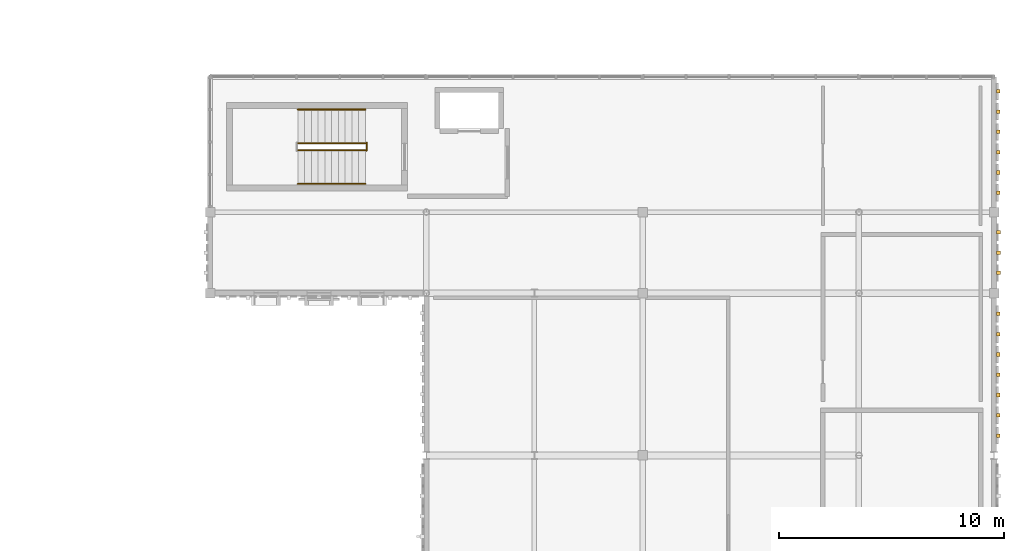
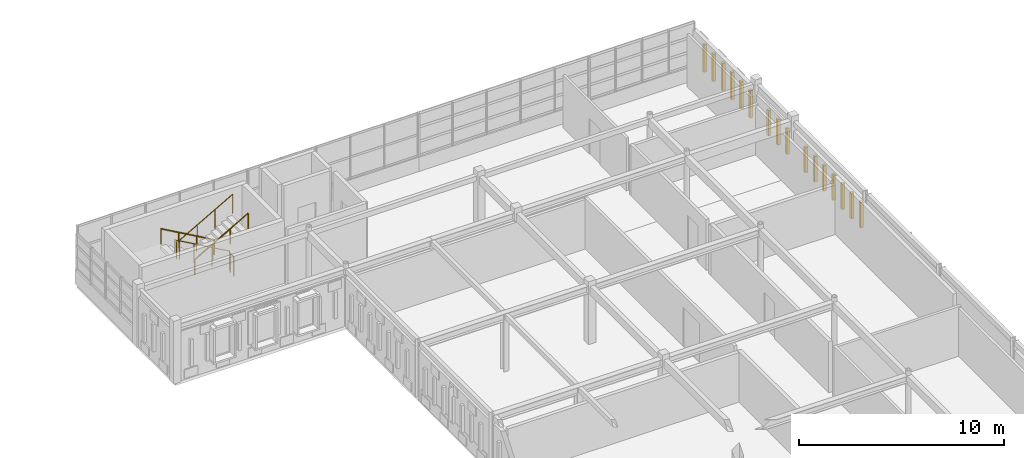
# One storey, part 42 of 46: 16 coverings, 5 railings.
"""IFC4 building model written with IfcOpenShell, lengths in metres."""

from ifc_helpers import new_model, si_unit, direction, frame, origin, origin_2d, place, context, subcontext, project, spatial, rectangle, circle, extrude, material, layer, layer_set, type_object, element, save


model = new_model("IFC4")

# Units and contexts
model_context = context("Model", 3, precision=1e-05, world=origin(), true_north=direction((0.0, 1.0)))
body_context = subcontext(model_context, "Body", "Model", "MODEL_VIEW")
ifc_project = project(units=[si_unit("LENGTHUNIT", "METRE"), si_unit("AREAUNIT", "SQUARE_METRE"), si_unit("VOLUMEUNIT", "CUBIC_METRE"), si_unit("PLANEANGLEUNIT", "RADIAN"), si_unit("MASSUNIT", "GRAM", prefix="KILO")], contexts=[model_context])

# Site, building, storey
site_placement = place(None, origin())
site = spatial("IfcSite", under=ifc_project, at=site_placement, CompositionType="ELEMENT")
building_placement = place(site_placement, origin())
building = spatial("IfcBuilding", under=site, at=building_placement, Name="Nzembalo Square Collegiate School", CompositionType="ELEMENT")
storey_placement = place(building_placement, frame((0.0, 0.0, 17.340087890625)))
storey = spatial("IfcBuildingStorey", under=building, at=storey_placement, Name="L04", CompositionType="ELEMENT", Elevation=17.340087890625)

# Coverings
ifc_material_1 = material(Name="Glazed ochre ceramic lancet rib")
ifc_layer = layer(ifc_material_1, 0.159912109375, Name="Glazed ochre ceramic lancet rib")
ifc_layer_set = layer_set([ifc_layer], Name="Glazed ochre ceramic lancet rib")
covering_type = type_object("IfcCoveringType", Name="CL02", PredefinedType="CLADDING", material=ifc_layer_set)
for number, where, z_axis, x_axis, name in (
    (1, (165.777587890625, 72.8798828125, 0.760009765625), (0.0, 0.0, 1.0), (1.0, 0.0, 0.0), "Gothic ceramic rib CL02-Y0257-0"),
    (2, (165.777587890625, 73.780029296875, 0.760009765625), (0.0, 0.0, 1.0), (1.0, 0.0, 0.0), "Gothic ceramic rib CL02-Y0257-1"),
    (3, (165.777587890625, 74.679931640625, 0.760009765625), (0.0, 0.0, 1.0), (1.0, 0.0, 0.0), "Gothic ceramic rib CL02-Y0257-2"),
    (4, (165.777587890625, 75.580078125, 0.760009765625), (0.0, 0.0, 1.0), (1.0, 0.0, 0.0), "Gothic ceramic rib CL02-Y0257-3"),
    (5, (165.777587890625, 76.47998046875, 0.760009765625), (0.0, 0.0, 1.0), (1.0, 0.0, 0.0), "Gothic ceramic rib CL02-Y0257-4"),
    (6, (165.777587890625, 77.3798828125, 0.760009765625), (0.0, 0.0, 1.0), (1.0, 0.0, 0.0), "Gothic ceramic rib CL02-Y0257-5"),
    (7, (165.777587890625, 78.280029296875, 0.760009765625), (0.0, 0.0, 1.0), (1.0, 0.0, 0.0), "Gothic ceramic rib CL02-Y0257-6"),
    (8, (165.79248046875, 80.10009765625, 0.760009765625), (0.0, 0.0, 1.0), (1.0, 0.0, 0.0), "Gothic ceramic rib CL02-Y0258-0"),
    (9, (165.79248046875, 81.0, 0.760009765625), (0.0, 0.0, 1.0), (1.0, 0.0, 0.0), "Gothic ceramic rib CL02-Y0258-1"),
    (10, (165.79248046875, 81.89990234375, 0.760009765625), (0.0, 0.0, 1.0), (1.0, 0.0, 0.0), "Gothic ceramic rib CL02-Y0258-2"),
):
    element("IfcCovering", number, at=place(storey_placement, frame(where, z_axis=z_axis, x_axis=x_axis)), inside=storey, type_object=covering_type, Name=name, PredefinedType="CLADDING", context=body_context, shape_type="SweptSolid", body=[
        extrude(rectangle(XDim=0.159912109375, YDim=0.159912109375, at=origin_2d()), origin(), (0.0, 0.0, 1.0), 1.51904296875),
    ])
for number, where, z_axis, x_axis, name in (
    (11, (165.777587890625, 83.656005859375, 0.760009765625), (0.0, 0.0, 1.0), (1.0, 0.0, 0.0), "Gothic ceramic rib CL02-Y0259-0"),
    (12, (165.777587890625, 84.555908203125, 0.760009765625), (0.0, 0.0, 1.0), (1.0, 0.0, 0.0), "Gothic ceramic rib CL02-Y0259-1"),
    (13, (165.777587890625, 85.4560546875, 0.760009765625), (0.0, 0.0, 1.0), (1.0, 0.0, 0.0), "Gothic ceramic rib CL02-Y0259-2"),
    (14, (165.777587890625, 86.35595703125, 0.760009765625), (0.0, 0.0, 1.0), (1.0, 0.0, 0.0), "Gothic ceramic rib CL02-Y0259-3"),
    (15, (165.777587890625, 87.256103515625, 0.760009765625), (0.0, 0.0, 1.0), (1.0, 0.0, 0.0), "Gothic ceramic rib CL02-Y0259-4"),
    (16, (165.777587890625, 88.156005859375, 0.760009765625), (0.0, 0.0, 1.0), (1.0, 0.0, 0.0), "Gothic ceramic rib CL02-Y0259-5"),
):
    element("IfcCovering", number, at=place(storey_placement, frame(where, z_axis=z_axis, x_axis=x_axis)), inside=storey, type_object=covering_type, Name=name, PredefinedType="CLADDING", context=body_context, shape_type="SweptSolid", body=[
        extrude(rectangle(XDim=0.159912109375, YDim=0.159912109375, at=origin_2d()), origin(), (0.0, 0.0, 1.0), 1.62890625),
    ])

# Railings
ifc_material_2 = material(Name="Steel S355", Category="steel")
railing_type_1 = type_object("IfcRailingType", Name="GR01", PredefinedType="GUARDRAIL", material=ifc_material_2)
railing_1_placement = place(storey_placement, frame((137.699951171875, 85.85009765625, 0.159912109375)))
element("IfcRailing", 17, at=railing_1_placement, inside=storey, type_object=railing_type_1, Name="Stair guard GR-17-1", PredefinedType="GUARDRAIL", context=body_context, shape_type="SweptSolid", body=[
    extrude(circle(Radius=0.02392578125, at=origin_2d()), frame((0.0, 0.0, 1.1259765625), z_axis=(-0.870028259722, 0.0, 0.493001853226), x_axis=(0.0, -1.0, 0.0)), (0.0, 0.0, 1.0), 3.4482421875),
    extrude(circle(Radius=0.02099609375, at=origin_2d()), origin(), (0.0, 0.0, 1.0), 1.101806640625),
    extrude(circle(Radius=0.02099609375, at=origin_2d()), frame((-1.0, 0.0, 0.566650390625)), (0.0, 0.0, 1.0), 1.101806640625),
    extrude(circle(Radius=0.02099609375, at=origin_2d()), frame((-2.0, 0.0, 1.13330078125)), (0.0, 0.0, 1.0), 1.101806640625),
    extrude(circle(Radius=0.02099609375, at=origin_2d()), frame((-3.0, 0.0, 1.699951171875)), (0.0, 0.0, 1.0), 1.101806640625),
])
railing_2_placement = place(storey_placement, frame((134.699951171875, 85.550048828125, 2.030029296875)))
element("IfcRailing", 18, at=railing_2_placement, inside=storey, type_object=railing_type_1, Name="Stair guard GR-17-3", PredefinedType="GUARDRAIL", context=body_context, shape_type="SweptSolid", body=[
    extrude(circle(Radius=0.02392578125, at=origin_2d()), frame((0.0, 0.0, 1.1259765625), z_axis=(0.870028259722, 0.0, 0.493001853226), x_axis=(0.0, 1.0, 0.0)), (0.0, 0.0, 1.0), 3.4482421875),
    extrude(circle(Radius=0.02099609375, at=origin_2d()), origin(), (0.0, 0.0, 1.0), 1.101806640625),
    extrude(circle(Radius=0.02099609375, at=origin_2d()), frame((1.0, 0.0, 0.566650390625)), (0.0, 0.0, 1.0), 1.101806640625),
    extrude(circle(Radius=0.02099609375, at=origin_2d()), frame((2.0, 0.0, 1.13330078125)), (0.0, 0.0, 1.0), 1.101806640625),
    extrude(circle(Radius=0.02099609375, at=origin_2d()), frame((3.0, 0.0, 1.699951171875)), (0.0, 0.0, 1.0), 1.101806640625),
])
railing_3_placement = place(storey_placement, frame((137.75, 85.52001953125, -0.005126953125)))
element("IfcRailing", 19, at=railing_3_placement, inside=storey, type_object=railing_type_1, Name="Stair guard GR-17-4", PredefinedType="GUARDRAIL", context=body_context, shape_type="SweptSolid", body=[
    extrude(circle(Radius=0.02392578125, at=origin_2d()), frame((0.0, 0.0, 1.1259765625), z_axis=(0.0, 1.0, 0.0), x_axis=(-1.0, 0.0, 0.0)), (0.0, 0.0, 1.0), 0.35986328125),
    extrude(circle(Radius=0.02099609375, at=origin_2d()), origin(), (0.0, 0.0, 1.0), 1.101806640625),
    extrude(circle(Radius=0.02099609375, at=origin_2d()), frame((0.0, 0.35986328125, 0.0)), (0.0, 0.0, 1.0), 1.101806640625),
])
ifc_material_3 = material(Name="Steel S355", Category="steel")
railing_type_2 = type_object("IfcRailingType", Name="HR01", PredefinedType="HANDRAIL", material=ifc_material_3)
railing_4_placement = place(storey_placement, frame((137.699951171875, 87.35009765625, 0.159912109375)))
element("IfcRailing", 20, at=railing_4_placement, inside=storey, type_object=railing_type_2, Name="Stair handrail HR-17-1", PredefinedType="HANDRAIL", context=body_context, shape_type="SweptSolid", body=[
    extrude(circle(Radius=0.02392578125, at=origin_2d()), frame((0.0, 0.0, 0.89599609375), z_axis=(-0.870028259722, 0.0, 0.493001853226), x_axis=(0.0, -1.0, 0.0)), (0.0, 0.0, 1.0), 3.4482421875),
    extrude(circle(Radius=0.02099609375, at=origin_2d()), origin(), (0.0, 0.0, 1.0), 0.871826171875),
    extrude(circle(Radius=0.02099609375, at=origin_2d()), frame((-1.0, 0.0, 0.566650390625)), (0.0, 0.0, 1.0), 0.871826171875),
    extrude(circle(Radius=0.02099609375, at=origin_2d()), frame((-2.0, 0.0, 1.13330078125)), (0.0, 0.0, 1.0), 0.871826171875),
    extrude(circle(Radius=0.02099609375, at=origin_2d()), frame((-3.0, 0.0, 1.699951171875)), (0.0, 0.0, 1.0), 0.871826171875),
])
railing_5_placement = place(storey_placement, frame((134.699951171875, 84.050048828125, 2.030029296875)))
element("IfcRailing", 21, at=railing_5_placement, inside=storey, type_object=railing_type_2, Name="Stair handrail HR-17-2", PredefinedType="HANDRAIL", context=body_context, shape_type="SweptSolid", body=[
    extrude(circle(Radius=0.02392578125, at=origin_2d()), frame((0.0, 0.0, 0.89599609375), z_axis=(0.870028259722, 0.0, 0.493001853226), x_axis=(0.0, 1.0, 0.0)), (0.0, 0.0, 1.0), 3.4482421875),
    extrude(circle(Radius=0.02099609375, at=origin_2d()), origin(), (0.0, 0.0, 1.0), 0.871826171875),
    extrude(circle(Radius=0.02099609375, at=origin_2d()), frame((1.0, 0.0, 0.566650390625)), (0.0, 0.0, 1.0), 0.871826171875),
    extrude(circle(Radius=0.02099609375, at=origin_2d()), frame((2.0, 0.0, 1.13330078125)), (0.0, 0.0, 1.0), 0.871826171875),
    extrude(circle(Radius=0.02099609375, at=origin_2d()), frame((3.0, 0.0, 1.699951171875)), (0.0, 0.0, 1.0), 0.871826171875),
])

save(model, "model.ifc")
